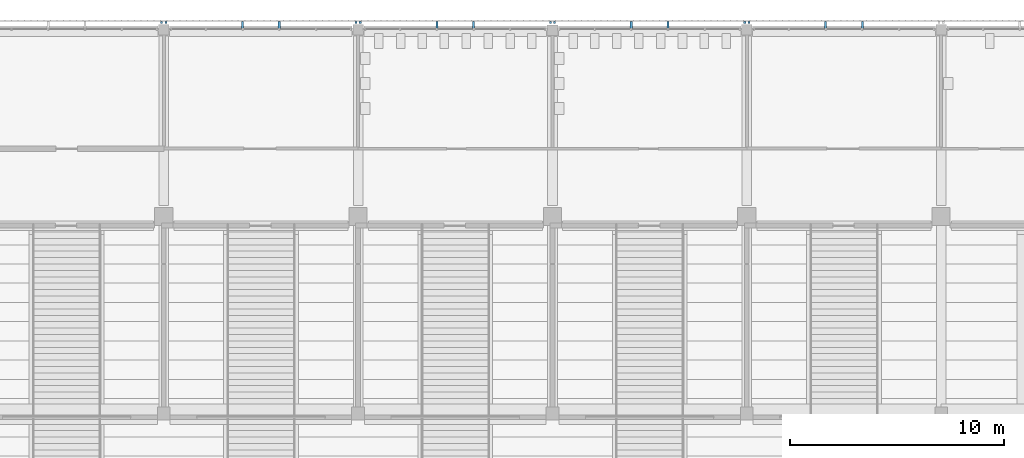
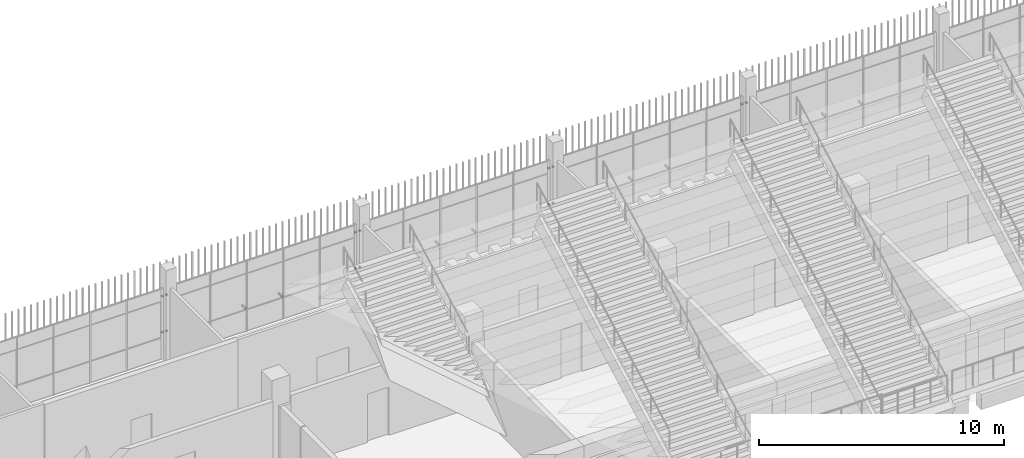
# One storey, part 107 of 139: 24 discrete accessories.
"""IFC4 building model written with IfcOpenShell, lengths in metres."""

from ifc_helpers import new_model, si_unit, direction, frame, origin, origin_2d, place, context, subcontext, project, spatial, rectangle, extrude, material, type_object, element, save


model = new_model("IFC4")

# Units and contexts
model_context = context("Model", 3, precision=1e-05, world=origin(), true_north=direction((0.0, 1.0)))
body_context = subcontext(model_context, "Body", "Model", "MODEL_VIEW")
ifc_project = project(units=[si_unit("LENGTHUNIT", "METRE"), si_unit("AREAUNIT", "SQUARE_METRE"), si_unit("VOLUMEUNIT", "CUBIC_METRE"), si_unit("PLANEANGLEUNIT", "RADIAN"), si_unit("MASSUNIT", "GRAM", prefix="KILO")], contexts=[model_context])

# Site, building, storey
site_placement = place(None, origin())
site = spatial("IfcSite", under=ifc_project, at=site_placement, CompositionType="ELEMENT")
building_placement = place(site_placement, origin())
building = spatial("IfcBuilding", under=site, at=building_placement, Name="Shirokan Park Arena", CompositionType="ELEMENT")
storey_placement = place(building_placement, frame((0.0, 0.0, 15.469970703125)))
storey = spatial("IfcBuildingStorey", under=building, at=storey_placement, Name="L03", CompositionType="ELEMENT", Elevation=15.469970703125)

# Discrete accessories
ifc_material = material(Name="Steel S355", Category="steel")
discrete_accessory_type = type_object("IfcDiscreteAccessoryType", Name="Veil bracket 100x60", PredefinedType="BRACKET", material=ifc_material)
for number, where, z_axis, x_axis, name in (
    (1, (91.10009765625, 109.597412109375, 1.070068359375), (0.0, 0.0, 1.0), (-1.0, 0.0, 0.0), "Veil bracket north bay 6 L03 2"),
    (2, (91.10009765625, 109.597412109375, 2.8701171875), (0.0, 0.0, 1.0), (-1.0, 0.0, 0.0), "Veil bracket north bay 6 L03 4"),
):
    element("IfcDiscreteAccessory", number, at=place(storey_placement, frame(where, z_axis=z_axis, x_axis=x_axis)), inside=storey, type_object=discrete_accessory_type, Name=name, PredefinedType="BRACKET", context=body_context, shape_type="SweptSolid", body=[
        extrude(rectangle(XDim=0.10009765625, YDim=0.094970703125, at=origin_2d()), origin(), (0.0, 0.0, 1.0), 0.06005859375),
    ])
for number, where, z_axis, x_axis, name in (
    (3, (96.409912109375, 109.485107421875, 1.070068359375), (0.0, 0.0, 1.0), (-1.0, 0.0, 0.0), "Veil bracket north bay 6 L03 wall 1"),
    (4, (94.68994140625, 109.485107421875, 1.070068359375), (0.0, 0.0, 1.0), (-1.0, 0.0, 0.0), "Veil bracket north bay 6 L03 wall 2"),
):
    element("IfcDiscreteAccessory", number, at=place(storey_placement, frame(where, z_axis=z_axis, x_axis=x_axis)), inside=storey, type_object=discrete_accessory_type, Name=name, PredefinedType="BRACKET", context=body_context, shape_type="SweptSolid", body=[
        extrude(rectangle(XDim=0.10009765625, YDim=0.320068359375, at=origin_2d()), origin(), (0.0, 0.0, 1.0), 0.06005859375),
    ])
for number, where, z_axis, x_axis, name in (
    (5, (90.89990234375, 109.597412109375, 1.070068359375), (0.0, 0.0, 1.0), (-1.0, 0.0, 0.0), "Veil bracket north bay 7 L03 1"),
    (6, (82.0, 109.597412109375, 1.070068359375), (0.0, 0.0, 1.0), (-1.0, 0.0, 0.0), "Veil bracket north bay 7 L03 2"),
    (7, (90.89990234375, 109.597412109375, 2.8701171875), (0.0, 0.0, 1.0), (-1.0, 0.0, 0.0), "Veil bracket north bay 7 L03 3"),
    (8, (82.0, 109.597412109375, 2.8701171875), (0.0, 0.0, 1.0), (-1.0, 0.0, 0.0), "Veil bracket north bay 7 L03 4"),
):
    element("IfcDiscreteAccessory", number, at=place(storey_placement, frame(where, z_axis=z_axis, x_axis=x_axis)), inside=storey, type_object=discrete_accessory_type, Name=name, PredefinedType="BRACKET", context=body_context, shape_type="SweptSolid", body=[
        extrude(rectangle(XDim=0.10009765625, YDim=0.094970703125, at=origin_2d()), origin(), (0.0, 0.0, 1.0), 0.06005859375),
    ])
for number, where, z_axis, x_axis, name in (
    (9, (87.31005859375, 109.485107421875, 1.070068359375), (0.0, 0.0, 1.0), (-1.0, 0.0, 0.0), "Veil bracket north bay 7 L03 wall 1"),
    (10, (85.590087890625, 109.485107421875, 1.070068359375), (0.0, 0.0, 1.0), (-1.0, 0.0, 0.0), "Veil bracket north bay 7 L03 wall 2"),
):
    element("IfcDiscreteAccessory", number, at=place(storey_placement, frame(where, z_axis=z_axis, x_axis=x_axis)), inside=storey, type_object=discrete_accessory_type, Name=name, PredefinedType="BRACKET", context=body_context, shape_type="SweptSolid", body=[
        extrude(rectangle(XDim=0.10009765625, YDim=0.320068359375, at=origin_2d()), origin(), (0.0, 0.0, 1.0), 0.06005859375),
    ])
for number, where, z_axis, x_axis, name in (
    (11, (81.800048828125, 109.597412109375, 1.070068359375), (0.0, 0.0, 1.0), (-1.0, 0.0, 0.0), "Veil bracket north bay 8 L03 1"),
    (12, (72.89990234375, 109.597412109375, 1.070068359375), (0.0, 0.0, 1.0), (-1.0, 0.0, 0.0), "Veil bracket north bay 8 L03 2"),
    (13, (81.800048828125, 109.597412109375, 2.8701171875), (0.0, 0.0, 1.0), (-1.0, 0.0, 0.0), "Veil bracket north bay 8 L03 3"),
    (14, (72.89990234375, 109.597412109375, 2.8701171875), (0.0, 0.0, 1.0), (-1.0, 0.0, 0.0), "Veil bracket north bay 8 L03 4"),
):
    element("IfcDiscreteAccessory", number, at=place(storey_placement, frame(where, z_axis=z_axis, x_axis=x_axis)), inside=storey, type_object=discrete_accessory_type, Name=name, PredefinedType="BRACKET", context=body_context, shape_type="SweptSolid", body=[
        extrude(rectangle(XDim=0.10009765625, YDim=0.094970703125, at=origin_2d()), origin(), (0.0, 0.0, 1.0), 0.06005859375),
    ])
for number, where, z_axis, x_axis, name in (
    (15, (78.2099609375, 109.485107421875, 1.070068359375), (0.0, 0.0, 1.0), (-1.0, 0.0, 0.0), "Veil bracket north bay 8 L03 wall 1"),
    (16, (76.489990234375, 109.485107421875, 1.070068359375), (0.0, 0.0, 1.0), (-1.0, 0.0, 0.0), "Veil bracket north bay 8 L03 wall 2"),
):
    element("IfcDiscreteAccessory", number, at=place(storey_placement, frame(where, z_axis=z_axis, x_axis=x_axis)), inside=storey, type_object=discrete_accessory_type, Name=name, PredefinedType="BRACKET", context=body_context, shape_type="SweptSolid", body=[
        extrude(rectangle(XDim=0.10009765625, YDim=0.320068359375, at=origin_2d()), origin(), (0.0, 0.0, 1.0), 0.06005859375),
    ])
for number, where, z_axis, x_axis, name in (
    (17, (72.699951171875, 109.597412109375, 1.070068359375), (0.0, 0.0, 1.0), (-1.0, 0.0, 0.0), "Veil bracket north bay 9 L03 1"),
    (18, (63.800048828125, 109.597412109375, 1.070068359375), (0.0, 0.0, 1.0), (-1.0, 0.0, 0.0), "Veil bracket north bay 9 L03 2"),
    (19, (72.699951171875, 109.597412109375, 2.8701171875), (0.0, 0.0, 1.0), (-1.0, 0.0, 0.0), "Veil bracket north bay 9 L03 3"),
    (20, (63.800048828125, 109.597412109375, 2.8701171875), (0.0, 0.0, 1.0), (-1.0, 0.0, 0.0), "Veil bracket north bay 9 L03 4"),
):
    element("IfcDiscreteAccessory", number, at=place(storey_placement, frame(where, z_axis=z_axis, x_axis=x_axis)), inside=storey, type_object=discrete_accessory_type, Name=name, PredefinedType="BRACKET", context=body_context, shape_type="SweptSolid", body=[
        extrude(rectangle(XDim=0.10009765625, YDim=0.094970703125, at=origin_2d()), origin(), (0.0, 0.0, 1.0), 0.06005859375),
    ])
for number, where, z_axis, x_axis, name in (
    (21, (69.110107421875, 109.485107421875, 1.070068359375), (0.0, 0.0, 1.0), (-1.0, 0.0, 0.0), "Veil bracket north bay 9 L03 wall 1"),
    (22, (67.389892578125, 109.485107421875, 1.070068359375), (0.0, 0.0, 1.0), (-1.0, 0.0, 0.0), "Veil bracket north bay 9 L03 wall 2"),
):
    element("IfcDiscreteAccessory", number, at=place(storey_placement, frame(where, z_axis=z_axis, x_axis=x_axis)), inside=storey, type_object=discrete_accessory_type, Name=name, PredefinedType="BRACKET", context=body_context, shape_type="SweptSolid", body=[
        extrude(rectangle(XDim=0.10009765625, YDim=0.320068359375, at=origin_2d()), origin(), (0.0, 0.0, 1.0), 0.06005859375),
    ])
for number, where, z_axis, x_axis, name in (
    (23, (63.60009765625, 109.597412109375, 1.070068359375), (0.0, 0.0, 1.0), (-1.0, 0.0, 0.0), "Veil bracket north bay 10 L03 1"),
    (24, (63.60009765625, 109.597412109375, 2.8701171875), (0.0, 0.0, 1.0), (-1.0, 0.0, 0.0), "Veil bracket north bay 10 L03 3"),
):
    element("IfcDiscreteAccessory", number, at=place(storey_placement, frame(where, z_axis=z_axis, x_axis=x_axis)), inside=storey, type_object=discrete_accessory_type, Name=name, PredefinedType="BRACKET", context=body_context, shape_type="SweptSolid", body=[
        extrude(rectangle(XDim=0.10009765625, YDim=0.094970703125, at=origin_2d()), origin(), (0.0, 0.0, 1.0), 0.06005859375),
    ])

save(model, "model.ifc")
